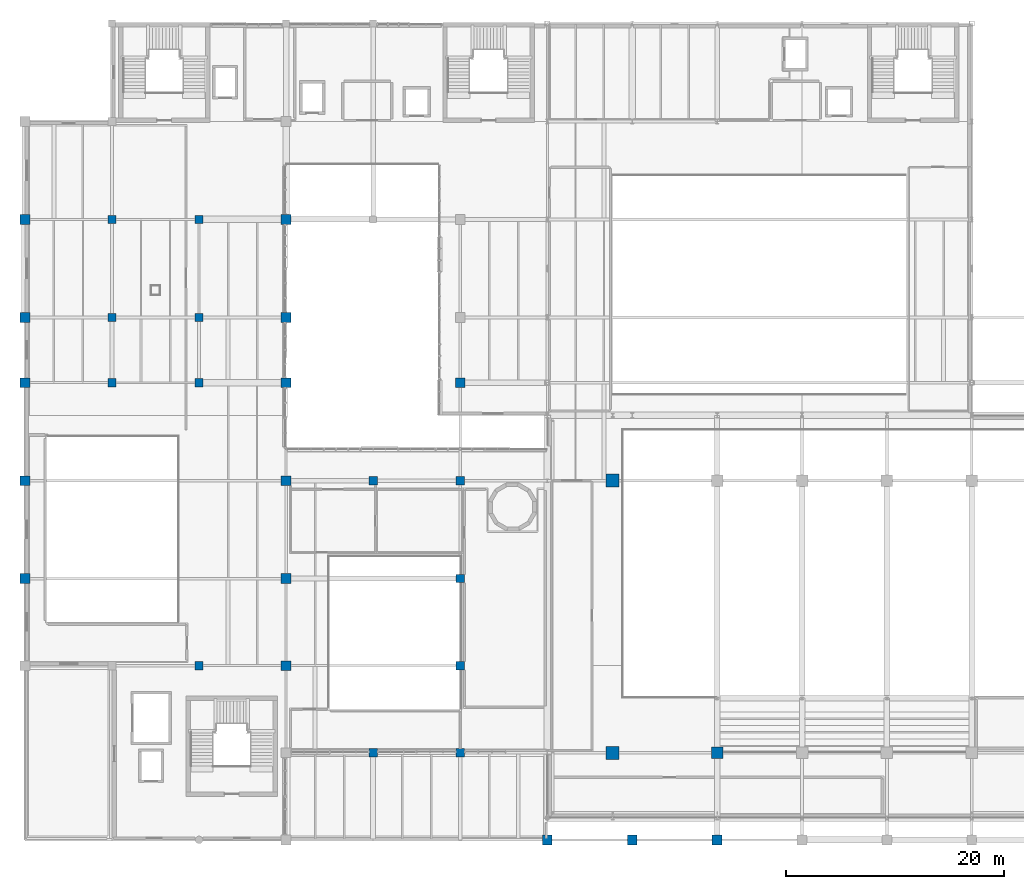
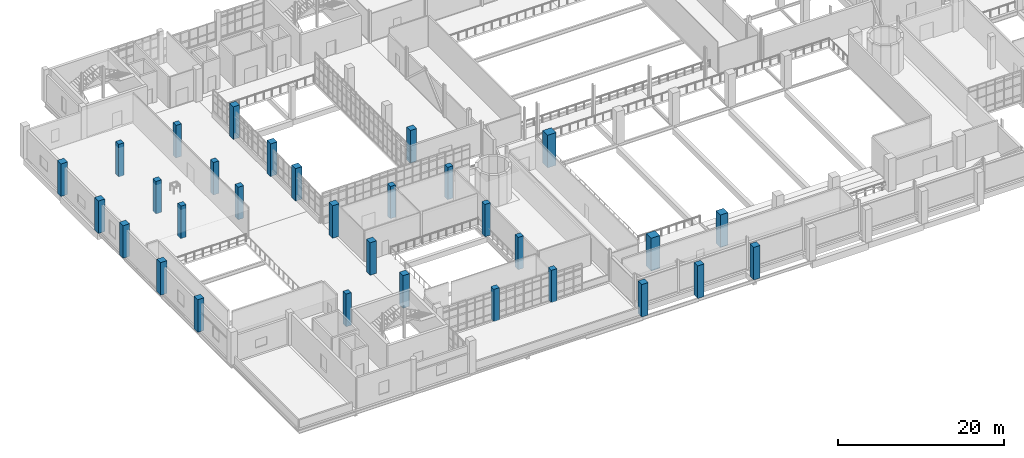
# One storey, part 2 of 102: 31 columns.
"""IFC4 building model written with IfcOpenShell, lengths in metres."""

from ifc_helpers import new_model, si_unit, derived_unit, direction, frame, origin, origin_2d, place, context, subcontext, project, spatial, rectangle, extrude, material, material_profile, profile_set, type_object, element, save


model = new_model("IFC4")

# Units and contexts
model_context = context("Model", 3, precision=1e-05, world=origin(), true_north=direction((0.0, 1.0)))
body_context = subcontext(model_context, "Body", "Model", "MODEL_VIEW")
ifc_project = project(units=[si_unit("LENGTHUNIT", "METRE"), si_unit("AREAUNIT", "SQUARE_METRE"), si_unit("VOLUMEUNIT", "CUBIC_METRE"), si_unit("PLANEANGLEUNIT", "RADIAN"), si_unit("MASSUNIT", "GRAM", prefix="KILO"), derived_unit("THERMALTRANSMITTANCEUNIT", [(si_unit("POWERUNIT", "WATT"), 1), (si_unit("LENGTHUNIT", "METRE"), -2), (si_unit("THERMODYNAMICTEMPERATUREUNIT", "KELVIN"), -1)])], contexts=[model_context])

# Site, building, storey
site_placement = place(None, origin())
site = spatial("IfcSite", under=ifc_project, at=site_placement, CompositionType="ELEMENT")
building_placement = place(site_placement, origin())
building = spatial("IfcBuilding", under=site, at=building_placement, Name="Nallur Shell Playhouse", CompositionType="ELEMENT")
storey_placement = place(building_placement, frame((0.0, 0.0, 15.0)))
storey = spatial("IfcBuildingStorey", under=building, at=storey_placement, Name="L04", CompositionType="ELEMENT", Elevation=15.0)

# Columns
ifc_material_1 = material(Name="Concrete M45", Category="concrete")
ifc_material_profile_1 = material_profile(ifc_material_1, rectangle(XDim=1.050048828125, YDim=1.050048828125, at=origin_2d()), Name="RC 1050x1050")
ifc_profile_set_1 = profile_set([ifc_material_profile_1], Name="Concrete M45")
column_type_1 = type_object("IfcColumnType", Name="CL-RC-1050", PredefinedType="COLUMN", material=ifc_profile_set_1)
column_placement = place(storey_placement, frame((79.60009765625, 16.0, 0.0), z_axis=(0.0, 0.0, 1.0), x_axis=(1.0, 0.0, 0.0)))
element("IfcColumn", 1, at=column_placement, inside=storey, type_object=column_type_1, Name="Column MC2S (L04)", PredefinedType="COLUMN", context=body_context, shape_type="SweptSolid", body=[
    extrude(rectangle(XDim=1.050048828125, YDim=1.050048828125, at=origin_2d()), origin(), (0.0, 0.0, 1.0), 4.800048828125),
])
ifc_material_profile_2 = material_profile(ifc_material_1, rectangle(XDim=1.199951171875, YDim=1.199951171875, at=origin_2d()), Name="RC 1200x1200")
ifc_profile_set_2 = profile_set([ifc_material_profile_2], Name="Concrete M45")
column_type_2 = type_object("IfcColumnType", Name="CL-RC-1200", PredefinedType="COLUMN", material=ifc_profile_set_2)
for number, where, z_axis, x_axis, name in (
    (2, (70.0, 16.0, 0.0), (0.0, 0.0, 1.0), (1.0, 0.0, 0.0), "Column MC1S (L04)"),
    (3, (70.0, 41.0, 0.0), (0.0, 0.0, 1.0), (1.0, 0.0, 0.0), "Column MC1N (L04)"),
):
    element("IfcColumn", number, at=place(storey_placement, frame(where, z_axis=z_axis, x_axis=x_axis)), inside=storey, type_object=column_type_2, Name=name, PredefinedType="COLUMN", context=body_context, shape_type="SweptSolid", body=[
        extrude(rectangle(XDim=1.199951171875, YDim=1.199951171875, at=origin_2d()), origin(), (0.0, 0.0, 1.0), 4.800048828125),
    ])
ifc_material_2 = material(Name="Concrete M40", Category="concrete")
ifc_material_profile_3 = material_profile(ifc_material_2, rectangle(XDim=0.75, YDim=0.75, at=origin_2d()), Name="RC 750x750")
ifc_profile_set_3 = profile_set([ifc_material_profile_3], Name="Concrete M40")
column_type_3 = type_object("IfcColumnType", Name="CL-RC-750", PredefinedType="COLUMN", material=ifc_profile_set_3)
for number, where, z_axis, x_axis, name in (
    (4, (24.0, 50.0, 0.0), (0.0, 0.0, 1.0), (1.0, 0.0, 0.0), "Column 3-F (L04)"),
    (5, (24.0, 56.0, 0.0), (0.0, 0.0, 1.0), (1.0, 0.0, 0.0), "Column 3-G (L04)"),
    (6, (24.0, 65.0, 0.0), (0.0, 0.0, 1.0), (1.0, 0.0, 0.0), "Column 3-H (L04)"),
    (7, (32.0, 24.0, 0.0), (0.0, 0.0, 1.0), (1.0, 0.0, 0.0), "Column 4-C (L04)"),
    (8, (32.0, 50.0, 0.0), (0.0, 0.0, 1.0), (1.0, 0.0, 0.0), "Column 4-F (L04)"),
    (9, (32.0, 56.0, 0.0), (0.0, 0.0, 1.0), (1.0, 0.0, 0.0), "Column 4-G (L04)"),
    (10, (32.0, 65.0, 0.0), (0.0, 0.0, 1.0), (1.0, 0.0, 0.0), "Column 4-H (L04)"),
):
    element("IfcColumn", number, at=place(storey_placement, frame(where, z_axis=z_axis, x_axis=x_axis)), inside=storey, type_object=column_type_3, Name=name, PredefinedType="COLUMN", context=body_context, shape_type="SweptSolid", body=[
        extrude(rectangle(XDim=0.75, YDim=0.75, at=origin_2d()), origin(), (0.0, 0.0, 1.0), 4.800048828125),
    ])
for number, where, z_axis, x_axis, name in (
    (11, (48.0, 16.0, 0.0), (0.0, 0.0, 1.0), (1.0, 0.0, 0.0), "Column 6-B (L04)"),
    (12, (48.0, 41.0, 0.0), (0.0, 0.0, 1.0), (1.0, 0.0, 0.0), "Column 6-E (L04)"),
    (13, (56.0, 16.0, 0.0), (0.0, 0.0, 1.0), (1.0, 0.0, 0.0), "Column 7-B (L04)"),
    (14, (56.0, 24.0, 0.0), (0.0, 0.0, 1.0), (1.0, 0.0, 0.0), "Column 7-C (L04)"),
    (15, (56.0, 32.0, 0.0), (0.0, 0.0, 1.0), (1.0, 0.0, 0.0), "Column 7-D (L04)"),
    (16, (56.0, 41.0, 0.0), (0.0, 0.0, 1.0), (1.0, 0.0, 0.0), "Column 7-E (L04)"),
):
    element("IfcColumn", number, at=place(storey_placement, frame(where, z_axis=z_axis, x_axis=x_axis)), inside=storey, type_object=column_type_3, Name=name, PredefinedType="COLUMN", context=body_context, shape_type="SweptSolid", body=[
        extrude(rectangle(XDim=0.75, YDim=0.75, at=origin_2d()), origin(), (0.0, 0.0, 1.0), 4.760009765625),
    ])
ifc_material_profile_4 = material_profile(ifc_material_2, rectangle(XDim=0.89990234375, YDim=0.89990234375, at=origin_2d()), Name="RC 900x900")
ifc_profile_set_4 = profile_set([ifc_material_profile_4], Name="Concrete M40")
column_type_4 = type_object("IfcColumnType", Name="CL-RC-900", PredefinedType="COLUMN", material=ifc_profile_set_4)
for number, where, z_axis, x_axis, name in (
    (17, (16.0, 32.0, 0.0), (0.0, 0.0, 1.0), (1.0, 0.0, 0.0), "Column 2-D (L04)"),
    (18, (16.0, 41.0, 0.0), (0.0, 0.0, 1.0), (1.0, 0.0, 0.0), "Column 2-E (L04)"),
    (19, (16.0, 50.0, 0.0), (0.0, 0.0, 1.0), (1.0, 0.0, 0.0), "Column 2-F (L04)"),
    (20, (16.0, 56.0, 0.0), (0.0, 0.0, 1.0), (1.0, 0.0, 0.0), "Column 2-G (L04)"),
    (21, (16.0, 65.0, 0.0), (0.0, 0.0, 1.0), (1.0, 0.0, 0.0), "Column 2-H (L04)"),
    (22, (40.0, 24.0, 0.0), (0.0, 0.0, 1.0), (1.0, 0.0, 0.0), "Column 5-C (L04)"),
    (23, (40.0, 32.0, 0.0), (0.0, 0.0, 1.0), (1.0, 0.0, 0.0), "Column 5-D (L04)"),
    (24, (40.0, 41.0, 0.0), (0.0, 0.0, 1.0), (1.0, 0.0, 0.0), "Column 5-E (L04)"),
    (25, (40.0, 50.0, 0.0), (0.0, 0.0, 1.0), (1.0, 0.0, 0.0), "Column 5-F (L04)"),
    (26, (40.0, 56.0, 0.0), (0.0, 0.0, 1.0), (1.0, 0.0, 0.0), "Column 5-G (L04)"),
    (27, (40.0, 65.0, 0.0), (0.0, 0.0, 1.0), (1.0, 0.0, 0.0), "Column 5-H (L04)"),
    (28, (56.0, 50.0, 0.0), (0.0, 0.0, 1.0), (1.0, 0.0, 0.0), "Column 7-F (L04)"),
    (29, (64.0, 8.0, 0.0), (0.0, 0.0, 1.0), (1.0, 0.0, 0.0), "Column 8-A (L04)"),
    (30, (71.800048828125, 8.0, 0.0), (0.0, 0.0, 1.0), (1.0, 0.0, 0.0), "Column 9-A (L04)"),
    (31, (79.60009765625, 8.0, 0.0), (0.0, 0.0, 1.0), (1.0, 0.0, 0.0), "Column 10-A (L04)"),
):
    element("IfcColumn", number, at=place(storey_placement, frame(where, z_axis=z_axis, x_axis=x_axis)), inside=storey, type_object=column_type_4, Name=name, PredefinedType="COLUMN", context=body_context, shape_type="SweptSolid", body=[
        extrude(rectangle(XDim=0.89990234375, YDim=0.89990234375, at=origin_2d()), origin(), (0.0, 0.0, 1.0), 4.800048828125),
    ])

save(model, "model.ifc")
